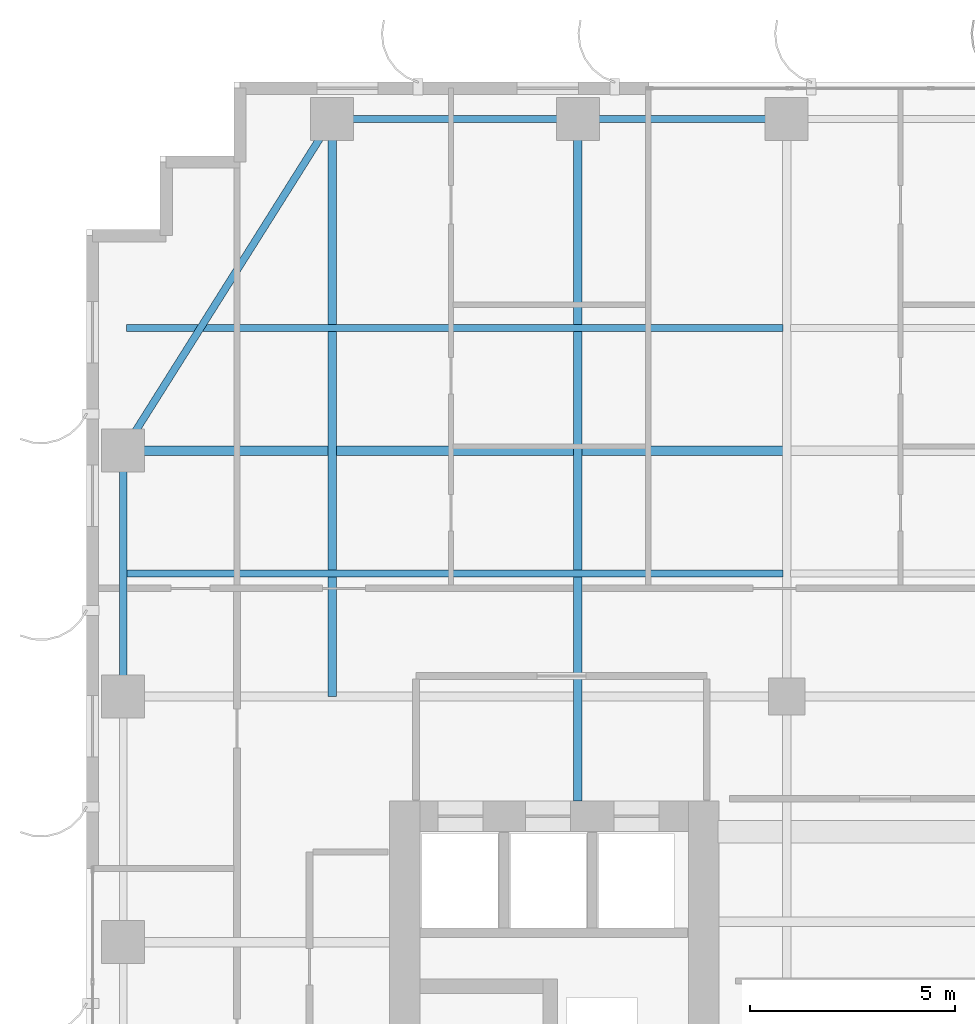
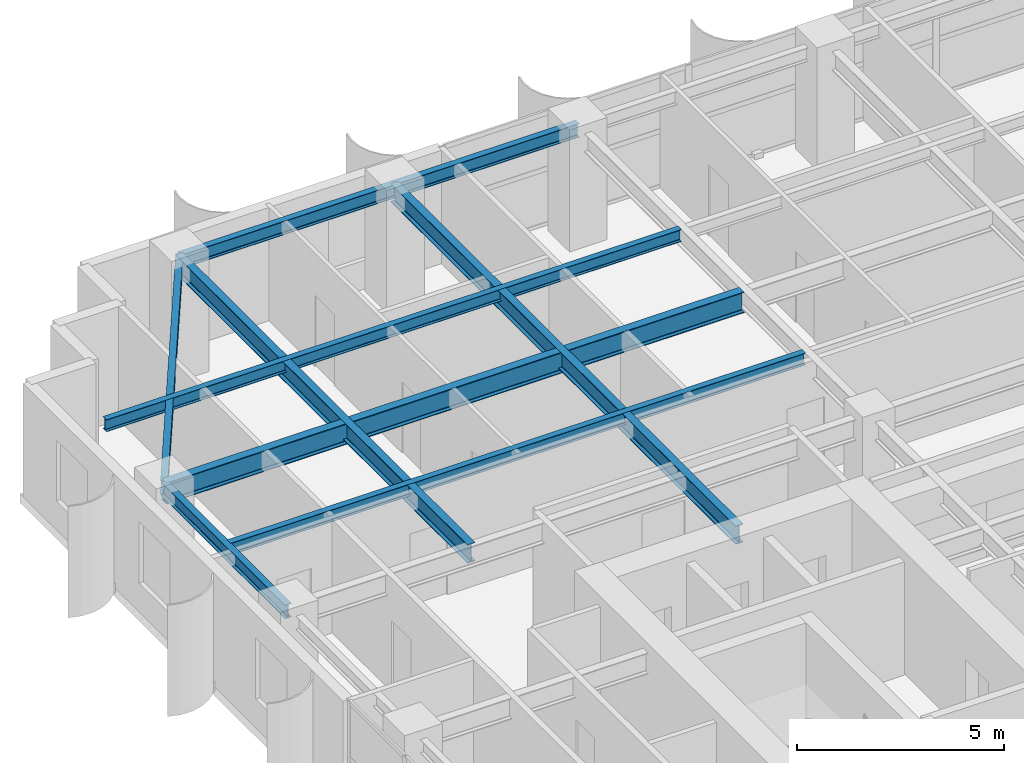
# One storey, part 9 of 21: 9 beams.
"""IFC4 building model written with IfcOpenShell, lengths in metres."""

from ifc_helpers import new_model, si_unit, direction, frame, origin, origin_2d, place, context, subcontext, project, spatial, i_section, extrude, source, transform, mapped, material, material_profile, profile_set, type_object, element, save


model = new_model("IFC4")

# Units and contexts
model_context = context("Model", 3, precision=1e-05, world=origin(), true_north=direction((0.0, 1.0)))
body_context = subcontext(model_context, "Body", "Model", "MODEL_VIEW")
ifc_project = project(units=[si_unit("LENGTHUNIT", "METRE"), si_unit("AREAUNIT", "SQUARE_METRE"), si_unit("VOLUMEUNIT", "CUBIC_METRE"), si_unit("PLANEANGLEUNIT", "RADIAN"), si_unit("MASSUNIT", "GRAM", prefix="KILO")], contexts=[model_context])

# Site, building, storey
site_placement = place(None, origin())
site = spatial("IfcSite", under=ifc_project, at=site_placement, CompositionType="ELEMENT")
building_placement = place(site_placement, origin())
building = spatial("IfcBuilding", under=site, at=building_placement, Name="Khoralis Quay Care Tower", CompositionType="ELEMENT")
storey_placement = place(building_placement, frame((0.0, 0.0, 112.5)))
storey = spatial("IfcBuildingStorey", under=building, at=storey_placement, Name="L29", CompositionType="ELEMENT", Elevation=112.5)

# Beams
ifc_material = material(Name="Steel S355", Category="steel")
ifc_material_profile_1 = material_profile(ifc_material, i_section(OverallWidth=0.179931640625, OverallDepth=0.39990234375, WebThickness=0.008544921875, FlangeThickness=0.013427734375, FilletRadius=0.02099609375, at=origin_2d()), Name="Steel S355")
ifc_profile_set_1 = profile_set([ifc_material_profile_1], Name="Steel S355")
beam_type_1 = type_object("IfcBeamType", Name="BM-IPE400", PredefinedType="SPANDREL", material=ifc_profile_set_1)
shared_shape_1 = source(origin(), body_context, "Body", "SweptSolid", [
    extrude(i_section(OverallWidth=0.179931640625, OverallDepth=0.39990234375, WebThickness=0.008544921875, FlangeThickness=0.013427734375, FilletRadius=0.02099609375, at=origin_2d()), origin(), (0.0, 0.0, 1.0), 6.0),
])
for number, where, z_axis, x_axis, name in (
    (1, (6.0, 44.10009765625, 3.139892578125), (1.0, 0.0, 0.0), (0.0, 1.0, 0.0), "BM-TSP-L29-06"),
    (2, (0.89990234375, 30.0, 3.139892578125), (0.0, 1.0, 0.0), (-1.0, 0.0, 0.0), "BM-TSP-L29-15"),
):
    element("IfcBeam", number, at=place(storey_placement, frame(where, z_axis=z_axis, x_axis=x_axis)), inside=storey, type_object=beam_type_1, Name=name, PredefinedType="SPANDREL", context=body_context, shape_type="MappedRepresentation", body=[
        mapped(shared_shape_1, transform((0.0, 0.0, 0.0), scale=1.0)),
    ])
shared_shape_2 = source(origin(), body_context, "Body", "SweptSolid", [
    extrude(i_section(OverallWidth=0.179931640625, OverallDepth=0.39990234375, WebThickness=0.008544921875, FlangeThickness=0.013427734375, FilletRadius=0.02099609375, at=origin_2d()), origin(), (0.0, 0.0, 1.0), 5.10009765625),
])
beam_1_placement = place(storey_placement, frame((12.0, 44.10009765625, 3.139892578125), z_axis=(1.0, 0.0, 0.0), x_axis=(0.0, 1.0, 0.0)))
element("IfcBeam", 3, at=beam_1_placement, inside=storey, type_object=beam_type_1, Name="BM-TSP-L29-07", PredefinedType="SPANDREL", context=body_context, shape_type="MappedRepresentation", body=[
    mapped(shared_shape_2, transform((0.0, 0.0, 0.0), scale=1.0)),
])
shared_shape_3 = source(origin(), body_context, "Body", "SweptSolid", [
    extrude(i_section(OverallWidth=0.179931640625, OverallDepth=0.39990234375, WebThickness=0.008544921875, FlangeThickness=0.013427734375, FilletRadius=0.02099609375, at=origin_2d()), origin(), (0.0, 0.0, 1.0), 9.572021484375),
])
beam_2_placement = place(storey_placement, frame((6.0, 44.10009765625, 3.139892578125), z_axis=(-0.532815975602, -0.846231136359, 0.0), x_axis=(0.846231136359, -0.532815975602, 0.0)))
element("IfcBeam", 4, at=beam_2_placement, inside=storey, type_object=beam_type_1, Name="BM-TCR-L29-23", PredefinedType="SPANDREL", context=body_context, shape_type="MappedRepresentation", body=[
    mapped(shared_shape_3, transform((0.0, 0.0, 0.0), scale=1.0)),
])
ifc_material_profile_2 = material_profile(ifc_material, i_section(OverallWidth=0.22998046875, OverallDepth=0.616943359375, WebThickness=0.01318359375, FlangeThickness=0.022216796875, FilletRadius=0.01806640625, at=origin_2d()), Name="Steel S355")
ifc_profile_set_2 = profile_set([ifc_material_profile_2], Name="Steel S355")
beam_type_2 = type_object("IfcBeamType", Name="BM-W610X140", PredefinedType="BEAM", material=ifc_profile_set_2)
shared_shape_4 = source(origin(), body_context, "Body", "SweptSolid", [
    extrude(i_section(OverallWidth=0.22998046875, OverallDepth=0.616943359375, WebThickness=0.01318359375, FlangeThickness=0.022216796875, FilletRadius=0.01806640625, at=origin_2d()), origin(), (0.0, 0.0, 1.0), 16.106201171875),
])
beam_3_placement = place(storey_placement, frame((0.89990234375, 36.0, 3.031494140625), z_axis=(1.0, 0.0, 0.0), x_axis=(0.0, 1.0, 0.0)))
element("IfcBeam", 5, at=beam_3_placement, inside=storey, type_object=beam_type_2, Name="BM-TGXW-L29-360", PredefinedType="BEAM", context=body_context, shape_type="MappedRepresentation", body=[
    mapped(shared_shape_4, transform((0.0, 0.0, 0.0), scale=1.0)),
])
ifc_material_profile_3 = material_profile(ifc_material, i_section(OverallWidth=0.2119140625, OverallDepth=0.5439453125, WebThickness=0.01318359375, FlangeThickness=0.021240234375, FilletRadius=0.01611328125, at=origin_2d()), Name="Steel S355")
ifc_profile_set_3 = profile_set([ifc_material_profile_3], Name="Steel S355")
beam_type_3 = type_object("IfcBeamType", Name="BM-W530X123", PredefinedType="BEAM", material=ifc_profile_set_3)
shared_shape_5 = source(origin(), body_context, "Body", "SweptSolid", [
    extrude(i_section(OverallWidth=0.2119140625, OverallDepth=0.5439453125, WebThickness=0.01318359375, FlangeThickness=0.021240234375, FilletRadius=0.01611328125, at=origin_2d()), origin(), (0.0, 0.0, 1.0), 14.10009765625),
])
beam_4_placement = place(storey_placement, frame((6.0, 30.0, 3.068115234375), z_axis=(0.0, 1.0, 0.0), x_axis=(-1.0, 0.0, 0.0)))
element("IfcBeam", 6, at=beam_4_placement, inside=storey, type_object=beam_type_3, Name="BM-TGYN-L29-60", PredefinedType="BEAM", context=body_context, shape_type="MappedRepresentation", body=[
    mapped(shared_shape_5, transform((0.0, 0.0, 0.0), scale=1.0)),
])
shared_shape_6 = source(origin(), body_context, "Body", "SweptSolid", [
    extrude(i_section(OverallWidth=0.2119140625, OverallDepth=0.5439453125, WebThickness=0.01318359375, FlangeThickness=0.021240234375, FilletRadius=0.01611328125, at=origin_2d()), origin(), (0.0, 0.0, 1.0), 16.652099609375),
])
beam_5_placement = place(storey_placement, frame((12.0, 27.447998046875, 3.068115234375), z_axis=(0.0, 1.0, 0.0), x_axis=(-1.0, 0.0, 0.0)))
element("IfcBeam", 7, at=beam_5_placement, inside=storey, type_object=beam_type_3, Name="BM-TGYN-L29-120", PredefinedType="BEAM", context=body_context, shape_type="MappedRepresentation", body=[
    mapped(shared_shape_6, transform((0.0, 0.0, 0.0), scale=1.0)),
])
ifc_material_profile_4 = material_profile(ifc_material, i_section(OverallWidth=0.1708984375, OverallDepth=0.35498046875, WebThickness=0.007080078125, FlangeThickness=0.01171875, FilletRadius=0.012939453125, at=origin_2d()), Name="Steel S355")
ifc_profile_set_4 = profile_set([ifc_material_profile_4], Name="Steel S355")
beam_type_4 = type_object("IfcBeamType", Name="BM-W360X51", PredefinedType="JOIST", material=ifc_profile_set_4)
shared_shape_7 = source(origin(), body_context, "Body", "SweptSolid", [
    extrude(i_section(OverallWidth=0.1708984375, OverallDepth=0.35498046875, WebThickness=0.007080078125, FlangeThickness=0.01171875, FilletRadius=0.012939453125, at=origin_2d()), origin(), (0.0, 0.0, 1.0), 16.030029296875),
])
for number, where, z_axis, x_axis, name in (
    (8, (0.97607421875, 33.0, 3.16259765625), (1.0, 0.0, 0.0), (0.0, 1.0, 0.0), "BM-TJS-L29-28"),
    (9, (0.97607421875, 39.0, 3.16259765625), (1.0, 0.0, 0.0), (0.0, 1.0, 0.0), "BM-TJS-L29-31"),
):
    element("IfcBeam", number, at=place(storey_placement, frame(where, z_axis=z_axis, x_axis=x_axis)), inside=storey, type_object=beam_type_4, Name=name, PredefinedType="JOIST", context=body_context, shape_type="MappedRepresentation", body=[
        mapped(shared_shape_7, transform((0.0, 0.0, 0.0), scale=1.0)),
    ])

save(model, "model.ifc")
